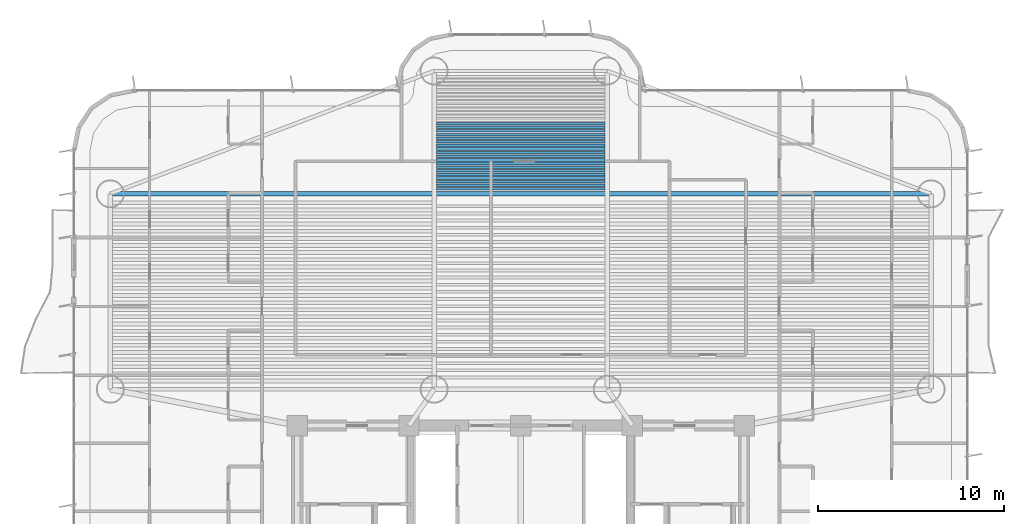
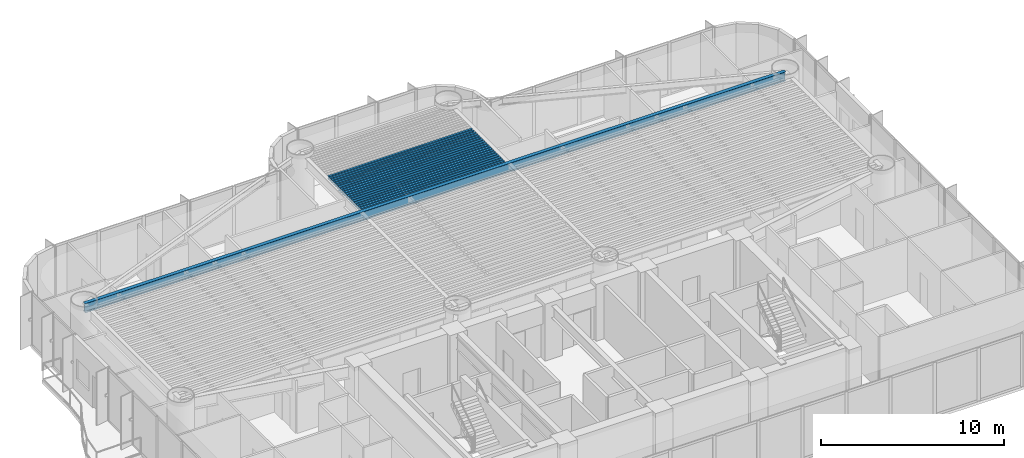
# One storey, part 4 of 19: 20 beams.
"""IFC4 building model written with IfcOpenShell, lengths in metres."""

import ifcopenshell
import ifcopenshell.guid

model = None  # the IFC model being written
_history = None  # IfcOwnerHistory: only IFC2X3 demands one
_inside = {}  # id of a spatial element -> (the spatial element, [elements in it])
_under = {}  # id of a project, library or spatial element -> (it, [spatial elements below it])
_declared = {}  # id of a project -> (the project, [libraries it declares])
_typed = {}  # id of a type object -> (the type object, [elements of that type])
_made_of = {}  # id of a material, layer set ... -> (it, [elements and type objects made of it])


def new_model(schema):
    """Start an empty IFC model of exactly this schema.

    Asked for "IFC4X3", IfcOpenShell would pick the latest addendum, in which some entities
    have other attributes; the version numbers below select the first issue.
    IFC2X3 requires an IfcOwnerHistory on every rooted entity: one is made here for all.
    """
    global model, _history
    if schema == "IFC4X3":
        model = ifcopenshell.file(schema_version=(4, 3, 0, 0))
    else:
        model = ifcopenshell.file(schema=schema)
    _inside.clear()
    _under.clear()
    _declared.clear()
    _typed.clear()
    _made_of.clear()
    _history = None
    if model.schema == "IFC2X3":
        org = make("IfcOrganization", Name="unknown")
        user = make(
            "IfcPersonAndOrganization",
            ThePerson=make("IfcPerson", FamilyName="unknown"),
            TheOrganization=org,
        )
        app = make(
            "IfcApplication",
            ApplicationDeveloper=org,
            Version="unknown",
            ApplicationFullName="unknown",
            ApplicationIdentifier="unknown",
        )
        _history = make(
            "IfcOwnerHistory",
            OwningUser=user,
            OwningApplication=app,
            ChangeAction="ADDED",
            CreationDate=0,
        )
    return model


def make(cls, **values):
    """One entity of the class cls with the attributes given. An attribute that is None is left unset."""
    return model.create_entity(
        cls, **{name: value for name, value in values.items() if value is not None}
    )


def rooted(cls, **values):
    """An entity with a GlobalId (a new one), such as an element, a storey or a relation."""
    return make(cls, GlobalId=ifcopenshell.guid.new(), OwnerHistory=_history, **values)


def si_unit(unit_type, name, prefix=None):
    """IfcSIUnit, for example si_unit("LENGTHUNIT", "METRE", prefix="MILLI")."""
    return make("IfcSIUnit", UnitType=unit_type, Prefix=prefix, Name=name)


def assignment(units):
    """IfcUnitAssignment: the units of a project."""
    return None if units is None else make("IfcUnitAssignment", Units=units)


def point(xyz):
    """IfcCartesianPoint."""
    return None if xyz is None else make("IfcCartesianPoint", Coordinates=xyz)


def direction(xyz):
    """IfcDirection."""
    return None if xyz is None else make("IfcDirection", DirectionRatios=xyz)


def frame(location, z_axis=None, x_axis=None):
    """IfcAxis2Placement3D, a coordinate frame: its origin and axes. An axis left out is left unset."""
    return make(
        "IfcAxis2Placement3D",
        Location=point(location),
        Axis=direction(z_axis),
        RefDirection=direction(x_axis),
    )


def frame_2d(location, x_axis=None):
    """IfcAxis2Placement2D, a coordinate frame in the plane: its origin and x axis."""
    return make(
        "IfcAxis2Placement2D", Location=point(location), RefDirection=direction(x_axis)
    )


def origin():
    """The frame at (0, 0, 0) with its axes left unset."""
    return frame((0.0, 0.0, 0.0))


def origin_2d():
    """The frame at (0, 0) in the plane with its x axis left unset."""
    return frame_2d((0.0, 0.0))


def place(relative_to, where):
    """IfcLocalPlacement: puts the frame where relative to a parent placement (None: the world)."""
    return make(
        "IfcLocalPlacement", PlacementRelTo=relative_to, RelativePlacement=where
    )


def context(
    kind, dimensions, precision=None, world=None, true_north=None, identifier=None
):
    """IfcGeometricRepresentationContext, for example the 3D "Model" context."""
    return make(
        "IfcGeometricRepresentationContext",
        ContextIdentifier=identifier,
        ContextType=kind,
        CoordinateSpaceDimension=dimensions,
        Precision=precision,
        WorldCoordinateSystem=world,
        TrueNorth=true_north,
    )


def subcontext(parent, identifier, kind, view, scale=None):
    """IfcGeometricRepresentationSubContext, for example "Body" below "Model"."""
    return make(
        "IfcGeometricRepresentationSubContext",
        ContextIdentifier=identifier,
        ContextType=kind,
        ParentContext=parent,
        TargetScale=scale,
        TargetView=view,
    )


def project(units=None, contexts=None):
    """IfcProject with its units and contexts."""
    return rooted(
        "IfcProject",
        Name="project",
        RepresentationContexts=contexts,
        UnitsInContext=assignment(units),
    )


def spatial(cls, under=None, at=None, **own):
    """A site, building, storey or space (cls), placed at a placement, below another one or the project."""
    s = rooted(cls, ObjectPlacement=at, **own)
    if under is not None:
        _under.setdefault(under.id(), (under, []))[1].append(s)
    return s


def profile(cls, at=None, kind="AREA", **sizes):
    """A parametric profile (cls). Its sizes go by their IFC names, for example OverallWidth=200.0."""
    return make(cls, ProfileType=kind, Position=at, **sizes)


def i_section(**sizes):
    """IfcIShapeProfileDef."""
    return profile("IfcIShapeProfileDef", **sizes)


def extrude(swept, where, along, depth):
    """IfcExtrudedAreaSolid: the profile swept, set in the frame where, extruded along a direction by depth."""
    return make(
        "IfcExtrudedAreaSolid",
        SweptArea=swept,
        Position=where,
        ExtrudedDirection=direction(along),
        Depth=depth,
    )


def shape(context_of_items, identifier, shape_type, items):
    """IfcShapeRepresentation: the items that make up one representation, for example the "Body"."""
    return make(
        "IfcShapeRepresentation",
        ContextOfItems=context_of_items,
        RepresentationIdentifier=identifier,
        RepresentationType=shape_type,
        Items=items,
    )


def source(mapping_origin, context_of_items, identifier, shape_type, items):
    """IfcRepresentationMap: a shape defined once, which mapped items show again and again."""
    return make(
        "IfcRepresentationMap",
        MappingOrigin=mapping_origin,
        MappedRepresentation=shape(context_of_items, identifier, shape_type, items),
    )


def transform(
    local_origin,
    x_axis=None,
    y_axis=None,
    z_axis=None,
    scale=None,
    scale2=None,
    scale3=None,
    uniform=True,
):
    """IfcCartesianTransformationOperator3D, or its non-uniform kind. x_axis, y_axis, z_axis: its Axis1, 2, 3."""
    if uniform:
        return make(
            "IfcCartesianTransformationOperator3D",
            Axis1=direction(x_axis),
            Axis2=direction(y_axis),
            LocalOrigin=point(local_origin),
            Scale=scale,
            Axis3=direction(z_axis),
        )
    return make(
        "IfcCartesianTransformationOperator3DnonUniform",
        Axis1=direction(x_axis),
        Axis2=direction(y_axis),
        LocalOrigin=point(local_origin),
        Scale=scale,
        Axis3=direction(z_axis),
        Scale2=scale2,
        Scale3=scale3,
    )


def mapped(mapping_source, mapping_target):
    """IfcMappedItem: shows the shape of a source again, moved by a transform."""
    return make(
        "IfcMappedItem", MappingSource=mapping_source, MappingTarget=mapping_target
    )


def material(Name=None, Category=None):
    """IfcMaterial."""
    return make("IfcMaterial", Name=Name, Category=Category)


def material_profile(
    of_material, cross_section, Name=None, Category=None, Priority=None
):
    """IfcMaterialProfile: a cross section and its material."""
    return make(
        "IfcMaterialProfile",
        Name=Name,
        Material=of_material,
        Profile=cross_section,
        Priority=Priority,
        Category=Category,
    )


def profile_set(profiles, Name=None, composite=None):
    """IfcMaterialProfileSet."""
    return make(
        "IfcMaterialProfileSet",
        Name=Name,
        MaterialProfiles=profiles,
        CompositeProfile=composite,
    )


def made_of(thing, what):
    """Note that an element or type object is made of a material, layer set ...; save() writes the relation."""
    if what is not None:
        _made_of.setdefault(what.id(), (what, []))[1].append(thing)
    return thing


def type_object(cls, material=None, **own):
    """A type object (cls), such as IfcWallType, which elements share."""
    return made_of(rooted(cls, **own), material)


def element(
    cls,
    number,
    at=None,
    inside=None,
    cuts=None,
    type_object=None,
    material=None,
    context=None,
    identifier="Body",
    shape_type=None,
    held_by="IfcProductDefinitionShape",
    body=None,
    shapes=None,
    **own,
):
    """One element of the class cls, such as IfcWall. Its Tag is "e" and its number.

    at: its placement. inside: the storey or other place that contains it. cuts: it is an
    opening in that element (IfcRelVoidsElement). A single representation is given by context,
    identifier, shape_type and body (its items); several are given by shapes. held_by: the class
    of the entity that holds the representations. save() writes the other relations.
    """
    e = rooted(cls, Tag="e%d" % number, ObjectPlacement=at, **own)
    if body is not None:
        shapes = [shape(context, identifier, shape_type, body)]
    if shapes is not None:
        e.Representation = make(held_by, Representations=shapes)
    if inside is not None:
        _inside.setdefault(inside.id(), (inside, []))[1].append(e)
    if cuts is not None:
        rooted(
            "IfcRelVoidsElement", RelatingBuildingElement=cuts, RelatedOpeningElement=e
        )
    if type_object is not None:
        _typed.setdefault(type_object.id(), (type_object, []))[1].append(e)
    return made_of(e, material)


def aggregate(whole, parts):
    """IfcRelAggregates: a whole, such as a stair, and the parts it consists of."""
    return rooted("IfcRelAggregates", RelatingObject=whole, RelatedObjects=parts)


def save(model, path):
    """Write the relations noted so far, then the file.

    IfcRelAggregates (storeys below a building ...), IfcRelContainedInSpatialStructure (elements
    in a storey), IfcRelDefinesByType, IfcRelAssociatesMaterial and IfcRelDeclares: one each for
    every whole, place, type object, material and project.
    """
    for whole, parts in _under.values():
        aggregate(whole, parts)
    for where, things in _inside.values():
        rooted(
            "IfcRelContainedInSpatialStructure",
            RelatedElements=things,
            RelatingStructure=where,
        )
    for kind, things in _typed.values():
        rooted("IfcRelDefinesByType", RelatedObjects=things, RelatingType=kind)
    for what, things in _made_of.values():
        rooted("IfcRelAssociatesMaterial", RelatedObjects=things, RelatingMaterial=what)
    for by, libraries in _declared.values():
        rooted("IfcRelDeclares", RelatingContext=by, RelatedDefinitions=libraries)
    model.write(path)


model = new_model("IFC4")

# Units and contexts
model_context = context("Model", 3, precision=1e-05, world=origin(), true_north=direction((0.0, 1.0)))
body_context = subcontext(model_context, "Body", "Model", "MODEL_VIEW")
ifc_project = project(units=[si_unit("LENGTHUNIT", "METRE"), si_unit("AREAUNIT", "SQUARE_METRE"), si_unit("VOLUMEUNIT", "CUBIC_METRE"), si_unit("PLANEANGLEUNIT", "RADIAN"), si_unit("MASSUNIT", "GRAM", prefix="KILO")], contexts=[model_context])

# Site, building, storey
site_placement = place(None, origin())
site = spatial("IfcSite", under=ifc_project, at=site_placement, CompositionType="ELEMENT")
building_placement = place(site_placement, origin())
building = spatial("IfcBuilding", under=site, at=building_placement, Name="Brelvock Crest Care Tower", CompositionType="ELEMENT")
storey_placement = place(building_placement, frame((0.0, 0.0, 34.56005859375)))
storey = spatial("IfcBuildingStorey", under=building, at=storey_placement, Name="L08", CompositionType="ELEMENT", Elevation=34.56005859375)

# Beams
ifc_material = material(Name="Steel Grade 350", Category="steel")
ifc_material_profile_1 = material_profile(ifc_material, i_section(OverallWidth=0.22900390625, OverallDepth=0.612060546875, WebThickness=0.011962890625, FlangeThickness=0.01953125, FilletRadius=0.013916015625, at=origin_2d()), Name="610UB125")
ifc_profile_set_1 = profile_set([ifc_material_profile_1], Name="Steel Grade 350")
beam_type_1 = type_object("IfcBeamType", Name="BM-G1", PredefinedType="BEAM", material=ifc_profile_set_1)
shared_shape_1 = source(origin(), body_context, "Body", "SweptSolid", [
    extrude(i_section(OverallWidth=0.22900390625, OverallDepth=0.612060546875, WebThickness=0.011962890625, FlangeThickness=0.01953125, FilletRadius=0.013916015625, at=origin_2d()), origin(), (0.0, 0.0, 1.0), 44.10009765625),
])
beam_placement = place(storey_placement, frame((13.949951171875, 30.449951171875, 3.223876953125), z_axis=(1.0, 0.0, 0.0), x_axis=(0.0, 1.0, 0.0)))
element("IfcBeam", 1, at=beam_placement, inside=storey, type_object=beam_type_1, Name="BM-TWR-L08-11", PredefinedType="BEAM", context=body_context, shape_type="MappedRepresentation", body=[
    mapped(shared_shape_1, transform((0.0, 0.0, 0.0), x_axis=(1.0, 0.0, 0.0), y_axis=(0.0, 1.0, 0.0), z_axis=(0.0, 0.0, 1.0), scale=1.0)),
])
ifc_material_profile_2 = material_profile(ifc_material, i_section(OverallWidth=0.14599609375, OverallDepth=0.256103515625, WebThickness=0.00634765625, FlangeThickness=0.010986328125, FilletRadius=0.0087890625, at=origin_2d()), Name="250UB37.3")
ifc_profile_set_2 = profile_set([ifc_material_profile_2], Name="Steel Grade 350")
beam_type_2 = type_object("IfcBeamType", Name="BM-J3", PredefinedType="JOIST", material=ifc_profile_set_2)
shared_shape_2 = source(origin(), body_context, "Body", "SweptSolid", [
    extrude(i_section(OverallWidth=0.14599609375, OverallDepth=0.256103515625, WebThickness=0.00634765625, FlangeThickness=0.010986328125, FilletRadius=0.0087890625, at=origin_2d()), origin(), (0.0, 0.0, 1.0), 9.06982421875),
])
for number, where, z_axis, x_axis, name in (
    (2, (31.465087890625, 30.714111328125, 3.40185546875), (1.0, 0.0, 0.0), (0.0, 1.0, 0.0), "BM-JN-L08-1"),
    (3, (31.465087890625, 30.90869140625, 3.40185546875), (1.0, 0.0, 0.0), (0.0, 1.0, 0.0), "BM-JN-L08-2"),
    (4, (31.465087890625, 31.103515625, 3.40185546875), (1.0, 0.0, 0.0), (0.0, 1.0, 0.0), "BM-JN-L08-3"),
    (5, (31.465087890625, 31.298095703125, 3.40185546875), (1.0, 0.0, 0.0), (0.0, 1.0, 0.0), "BM-JN-L08-4"),
    (6, (31.465087890625, 31.492919921875, 3.40185546875), (1.0, 0.0, 0.0), (0.0, 1.0, 0.0), "BM-JN-L08-5"),
    (7, (31.465087890625, 31.6875, 3.40185546875), (1.0, 0.0, 0.0), (0.0, 1.0, 0.0), "BM-JN-L08-6"),
    (8, (31.465087890625, 31.882080078125, 3.40185546875), (1.0, 0.0, 0.0), (0.0, 1.0, 0.0), "BM-JN-L08-7"),
    (9, (31.465087890625, 32.076904296875, 3.40185546875), (1.0, 0.0, 0.0), (0.0, 1.0, 0.0), "BM-JN-L08-8"),
    (10, (31.465087890625, 32.271484375, 3.40185546875), (1.0, 0.0, 0.0), (0.0, 1.0, 0.0), "BM-JN-L08-9"),
    (11, (31.465087890625, 32.46630859375, 3.40185546875), (1.0, 0.0, 0.0), (0.0, 1.0, 0.0), "BM-JN-L08-10"),
    (12, (31.465087890625, 32.660888671875, 3.40185546875), (1.0, 0.0, 0.0), (0.0, 1.0, 0.0), "BM-JN-L08-11"),
    (13, (31.465087890625, 32.855712890625, 3.40185546875), (1.0, 0.0, 0.0), (0.0, 1.0, 0.0), "BM-JN-L08-12"),
    (14, (31.465087890625, 33.05029296875, 3.40185546875), (1.0, 0.0, 0.0), (0.0, 1.0, 0.0), "BM-JN-L08-13"),
):
    element("IfcBeam", number, at=place(storey_placement, frame(where, z_axis=z_axis, x_axis=x_axis)), inside=storey, type_object=beam_type_2, Name=name, PredefinedType="JOIST", context=body_context, shape_type="MappedRepresentation", body=[
        mapped(shared_shape_2, transform((0.0, 0.0, 0.0), x_axis=(1.0, 0.0, 0.0), y_axis=(0.0, 1.0, 0.0), z_axis=(0.0, 0.0, 1.0), scale=1.0)),
    ])
ifc_material_profile_3 = material_profile(ifc_material, i_section(OverallWidth=0.134033203125, OverallDepth=0.20703125, WebThickness=0.00634765625, FlangeThickness=0.009521484375, FilletRadius=0.0087890625, at=origin_2d()), Name="200UB29.8")
ifc_profile_set_3 = profile_set([ifc_material_profile_3], Name="Steel Grade 350")
beam_type_3 = type_object("IfcBeamType", Name="BM-J4", PredefinedType="JOIST", material=ifc_profile_set_3)
shared_shape_3 = source(origin(), body_context, "Body", "SweptSolid", [
    extrude(i_section(OverallWidth=0.134033203125, OverallDepth=0.20703125, WebThickness=0.00634765625, FlangeThickness=0.009521484375, FilletRadius=0.0087890625, at=origin_2d()), origin(), (0.0, 0.0, 1.0), 9.06982421875),
])
for number, where, z_axis, x_axis, name in (
    (15, (31.465087890625, 33.2451171875, 3.426513671875), (1.0, 0.0, 0.0), (0.0, 1.0, 0.0), "BM-JN-L08-14"),
    (16, (31.465087890625, 33.439697265625, 3.426513671875), (1.0, 0.0, 0.0), (0.0, 1.0, 0.0), "BM-JN-L08-15"),
    (17, (31.465087890625, 33.634521484375, 3.426513671875), (1.0, 0.0, 0.0), (0.0, 1.0, 0.0), "BM-JN-L08-16"),
    (18, (31.465087890625, 33.8291015625, 3.426513671875), (1.0, 0.0, 0.0), (0.0, 1.0, 0.0), "BM-JN-L08-17"),
    (19, (31.465087890625, 34.02392578125, 3.426513671875), (1.0, 0.0, 0.0), (0.0, 1.0, 0.0), "BM-JN-L08-18"),
    (20, (31.465087890625, 34.218505859375, 3.426513671875), (1.0, 0.0, 0.0), (0.0, 1.0, 0.0), "BM-JN-L08-19"),
):
    element("IfcBeam", number, at=place(storey_placement, frame(where, z_axis=z_axis, x_axis=x_axis)), inside=storey, type_object=beam_type_3, Name=name, PredefinedType="JOIST", context=body_context, shape_type="MappedRepresentation", body=[
        mapped(shared_shape_3, transform((0.0, 0.0, 0.0), x_axis=(1.0, 0.0, 0.0), y_axis=(0.0, 1.0, 0.0), z_axis=(0.0, 0.0, 1.0), scale=1.0)),
    ])

save(model, "model.ifc")
